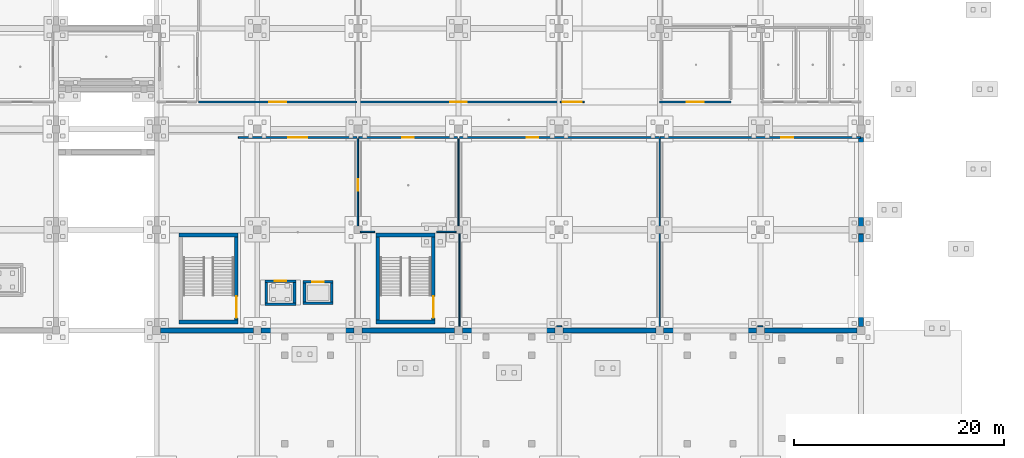
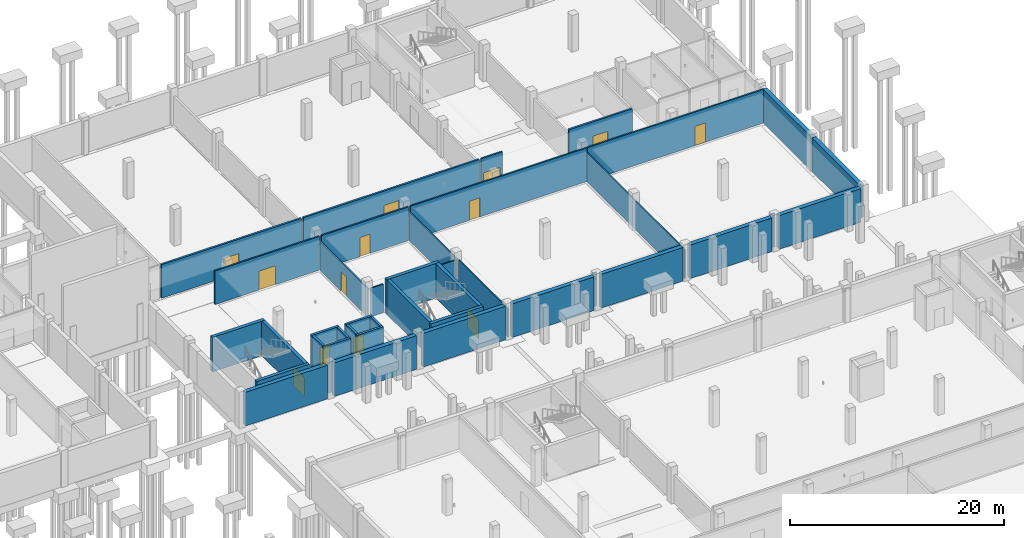
# One storey, part 16 of 31: 40 walls, 13 doors, 13 openings.
"""IFC4 building model written with IfcOpenShell, lengths in metres."""

from ifc_helpers import new_model, si_unit, direction, frame, frame_2d, origin, place, context, subcontext, project, spatial, rectangle, extrude, material, layer, layer_set, type_object, element, fill, save


model = new_model("IFC4")

# Units and contexts
model_context = context("Model", 3, precision=1e-05, world=origin(), true_north=direction((0.0, 1.0)))
body_context = subcontext(model_context, "Body", "Model", "MODEL_VIEW")
ifc_project = project(units=[si_unit("LENGTHUNIT", "METRE"), si_unit("AREAUNIT", "SQUARE_METRE"), si_unit("VOLUMEUNIT", "CUBIC_METRE"), si_unit("PLANEANGLEUNIT", "RADIAN"), si_unit("MASSUNIT", "GRAM", prefix="KILO")], contexts=[model_context])

# Site, building, storey
site_placement = place(None, origin())
site = spatial("IfcSite", under=ifc_project, at=site_placement, CompositionType="ELEMENT")
building_placement = place(site_placement, origin())
building = spatial("IfcBuilding", under=site, at=building_placement, Name="Chalmorin Arch Market", CompositionType="ELEMENT")
storey_placement = place(building_placement, frame((0.0, 0.0, -4.199951171875)))
storey = spatial("IfcBuildingStorey", under=building, at=storey_placement, Name="B1", CompositionType="ELEMENT", Elevation=-4.199951171875)

# Walls
ifc_material_1 = material(Name="Concrete C40/50", Category="concrete")
ifc_layer_1 = layer(ifc_material_1, 0.449951171875)
ifc_layer_set_1 = layer_set([ifc_layer_1], Name="Concrete C40/50")
wall_type_1 = type_object("IfcWallType", Name="BasementFloodwall-450", PredefinedType="SOLIDWALL", material=ifc_layer_set_1)
wall_1_placement = place(storey_placement, frame((48.375, 72.0, 0.0), z_axis=(0.0, 0.0, 1.0), x_axis=(1.0, 0.0, 0.0)))
element("IfcWall", 1, at=wall_1_placement, inside=storey, type_object=wall_type_1, Name="BFW-450-047", PredefinedType="SOLIDWALL", context=body_context, shape_type="SweptSolid", body=[
    extrude(rectangle(XDim=8.85009765625, YDim=0.449951171875, at=frame_2d((4.425048828125, 0.0))), origin(), (0.0, 0.0, 1.0), 3.83984375),
])
wall_2_placement = place(storey_placement, frame((57.97509765625, 72.0, 0.0), z_axis=(0.0, 0.0, 1.0), x_axis=(1.0, 0.0, 0.0)))
element("IfcWall", 2, at=wall_2_placement, inside=storey, type_object=wall_type_1, Name="BFW-450-048", PredefinedType="SOLIDWALL", context=body_context, shape_type="SweptSolid", body=[
    extrude(rectangle(XDim=8.849853515625, YDim=0.449951171875, at=frame_2d((4.4248046875, 0.0))), origin(), (0.0, 0.0, 1.0), 3.83984375),
])
wall_3_placement = place(storey_placement, frame((67.574951171875, 72.0, 0.0), z_axis=(0.0, 0.0, 1.0), x_axis=(1.0, 0.0, 0.0)))
element("IfcWall", 3, at=wall_3_placement, inside=storey, type_object=wall_type_1, Name="BFW-450-049", PredefinedType="SOLIDWALL", context=body_context, shape_type="SweptSolid", body=[
    extrude(rectangle(XDim=8.85009765625, YDim=0.449951171875, at=frame_2d((4.425048828125, 0.0))), origin(), (0.0, 0.0, 1.0), 3.83984375),
])
wall_4_placement = place(storey_placement, frame((77.175048828125, 72.0, 0.0), z_axis=(0.0, 0.0, 1.0), x_axis=(1.0, 0.0, 0.0)))
element("IfcWall", 4, at=wall_4_placement, inside=storey, type_object=wall_type_1, Name="BFW-450-050", PredefinedType="SOLIDWALL", context=body_context, shape_type="SweptSolid", body=[
    extrude(rectangle(XDim=8.849853515625, YDim=0.449951171875, at=frame_2d((4.4248046875, 0.0))), origin(), (0.0, 0.0, 1.0), 3.83984375),
])
for number, where, z_axis, x_axis, name in (
    (5, (86.77490234375, 72.0, 0.0), (0.0, 0.0, 1.0), (1.0, 0.0, 0.0), "BFW-450-051"),
    (6, (96.375, 72.0, 0.0), (0.0, 0.0, 1.0), (1.0, 0.0, 0.0), "BFW-450-052"),
):
    element("IfcWall", number, at=place(storey_placement, frame(where, z_axis=z_axis, x_axis=x_axis)), inside=storey, type_object=wall_type_1, Name=name, PredefinedType="SOLIDWALL", context=body_context, shape_type="SweptSolid", body=[
        extrude(rectangle(XDim=8.85009765625, YDim=0.449951171875, at=frame_2d((4.425048828125, 0.0))), origin(), (0.0, 0.0, 1.0), 3.83984375),
    ])
wall_5_placement = place(storey_placement, frame((105.97509765625, 72.0, 0.0), z_axis=(0.0, 0.0, 1.0), x_axis=(1.0, 0.0, 0.0)))
element("IfcWall", 7, at=wall_5_placement, inside=storey, type_object=wall_type_1, Name="BFW-450-053", PredefinedType="SOLIDWALL", context=body_context, shape_type="SweptSolid", body=[
    extrude(rectangle(XDim=8.849853515625, YDim=0.449951171875, at=frame_2d((4.4248046875, 0.0))), origin(), (0.0, 0.0, 1.0), 3.83984375),
])
wall_6_placement = place(storey_placement, frame((115.199951171875, 72.375, 0.0), z_axis=(0.0, 0.0, 1.0), x_axis=(0.0, 1.0, 0.0)))
element("IfcWall", 8, at=wall_6_placement, inside=storey, type_object=wall_type_1, Name="BFW-450-054", PredefinedType="SOLIDWALL", context=body_context, shape_type="SweptSolid", body=[
    extrude(rectangle(XDim=8.824951171875, YDim=0.449951171875, at=frame_2d((4.41259765625, 0.0))), origin(), (0.0, 0.0, 1.0), 3.83984375),
])
wall_7_placement = place(storey_placement, frame((115.199951171875, 81.199951171875, 0.0), z_axis=(0.0, 0.0, 1.0), x_axis=(0.0, 1.0, 0.0)))
element("IfcWall", 9, at=wall_7_placement, inside=storey, type_object=wall_type_1, Name="BFW-450-055", PredefinedType="SOLIDWALL", context=body_context, shape_type="SweptSolid", body=[
    extrude(rectangle(XDim=9.199951171875, YDim=0.449951171875, at=frame_2d((4.60009765625, 0.0))), origin(), (0.0, 0.0, 1.0), 3.83984375),
])
ifc_layer_2 = layer(ifc_material_1, 0.35009765625)
ifc_layer_set_2 = layer_set([ifc_layer_2], Name="Concrete C40/50")
wall_type_2 = type_object("IfcWallType", Name="CoreShearWall-350", PredefinedType="SHEAR", material=ifc_layer_set_2)
for number, where, z_axis, x_axis, name in (
    (10, (55.77490234375, 72.800048828125, 0.0), (0.0, 0.0, 1.0), (-1.0, 0.0, 0.0), "CSW-350-065"),
    (11, (50.125, 81.10009765625, 0.0), (0.0, 0.0, 1.0), (1.0, 0.0, 0.0), "CSW-350-066"),
):
    element("IfcWall", number, at=place(storey_placement, frame(where, z_axis=z_axis, x_axis=x_axis)), inside=storey, type_object=wall_type_2, Name=name, PredefinedType="SHEAR", context=body_context, shape_type="SweptSolid", body=[
        extrude(rectangle(XDim=5.64990234375, YDim=0.35009765625, at=frame_2d((2.824951171875, 0.0))), origin(), (0.0, 0.0, 1.0), 3.949951171875),
    ])

# Wall, opening, door
wall_8_placement = place(storey_placement, frame((55.60009765625, 80.925048828125, 0.0), z_axis=(0.0, 0.0, 1.0), x_axis=(0.0, -1.0, 0.0)))
wall_8 = element("IfcWall", 12, at=wall_8_placement, inside=storey, type_object=wall_type_2, Name="CSW-350-068", PredefinedType="SHEAR", context=body_context, shape_type="SweptSolid", body=[
    extrude(rectangle(XDim=7.949951171875, YDim=0.35009765625, at=frame_2d((3.97509765625, 0.0))), origin(), (0.0, 0.0, 1.0), 3.949951171875),
])
opening_1_placement = place(wall_8_placement, frame((5.679931640625, 0.0, 0.0)))
opening_1 = element("IfcOpeningElement", 13, at=opening_1_placement, cuts=wall_8, Name="Opening FD-SC5-B1", PredefinedType="OPENING", context=body_context, shape_type="SweptSolid", body=[
    extrude(rectangle(XDim=2.050048828125, YDim=2.14990234375, at=frame_2d((1.02490234375, 1.074951171875))), frame((0.0, 0.18505859375, 0.0), z_axis=(0.0, -1.0, 0.0), x_axis=(1.0, 0.0, 0.0)), (0.0, 0.0, 1.0), 0.3701171875),
])
ifc_material_2 = material(Name="Galvanised Steel", Category="steel")
door_type_1 = type_object("IfcDoorType", Name="DoubleFireExitDoor-2050x2150", OperationType="DOUBLE_DOOR_SINGLE_SWING", PredefinedType="DOOR", material=ifc_material_2)
door_1_placement = place(opening_1_placement, origin())
door_1 = element("IfcDoor", 14, at=door_1_placement, inside=storey, type_object=door_type_1, Name="FD-SC5-B1", OperationType="DOUBLE_DOOR_SINGLE_SWING", OverallHeight=2.14990234375, OverallWidth=2.050048828125, PredefinedType="DOOR", context=body_context, shape_type="SweptSolid", body=[
    extrude(rectangle(XDim=2.050048828125, YDim=2.14990234375, at=frame_2d((1.02490234375, 1.074951171875))), frame((0.0, 0.02490234375, 0.0), z_axis=(0.0, -1.0, 0.0), x_axis=(1.0, 0.0, 0.0)), (0.0, 0.0, 1.0), 0.050048828125),
])
fill(opening_1, door_1)

# Walls
for number, where, z_axis, x_axis, name in (
    (15, (74.574951171875, 72.800048828125, 0.0), (0.0, 0.0, 1.0), (-1.0, 0.0, 0.0), "CSW-350-105"),
    (16, (68.925048828125, 81.10009765625, 0.0), (0.0, 0.0, 1.0), (1.0, 0.0, 0.0), "CSW-350-106"),
):
    element("IfcWall", number, at=place(storey_placement, frame(where, z_axis=z_axis, x_axis=x_axis)), inside=storey, type_object=wall_type_2, Name=name, PredefinedType="SHEAR", context=body_context, shape_type="SweptSolid", body=[
        extrude(rectangle(XDim=5.64990234375, YDim=0.35009765625, at=frame_2d((2.824951171875, 0.0))), origin(), (0.0, 0.0, 1.0), 3.949951171875),
    ])
wall_9_placement = place(storey_placement, frame((69.10009765625, 72.97509765625, 0.0), z_axis=(0.0, 0.0, 1.0), x_axis=(0.0, 1.0, 0.0)))
element("IfcWall", 17, at=wall_9_placement, inside=storey, type_object=wall_type_2, Name="CSW-350-107", PredefinedType="SHEAR", context=body_context, shape_type="SweptSolid", body=[
    extrude(rectangle(XDim=7.949951171875, YDim=0.35009765625, at=frame_2d((3.97509765625, 0.0))), origin(), (0.0, 0.0, 1.0), 3.949951171875),
])

# Wall, opening, door
wall_10_placement = place(storey_placement, frame((74.39990234375, 80.925048828125, 0.0), z_axis=(0.0, 0.0, 1.0), x_axis=(0.0, -1.0, 0.0)))
wall_10 = element("IfcWall", 18, at=wall_10_placement, inside=storey, type_object=wall_type_2, Name="CSW-350-108", PredefinedType="SHEAR", context=body_context, shape_type="SweptSolid", body=[
    extrude(rectangle(XDim=7.949951171875, YDim=0.35009765625, at=frame_2d((3.97509765625, 0.0))), origin(), (0.0, 0.0, 1.0), 3.949951171875),
])
opening_2_placement = place(wall_10_placement, frame((5.679931640625, 0.0, 0.0)))
opening_2 = element("IfcOpeningElement", 19, at=opening_2_placement, cuts=wall_10, Name="Opening FD-SC7-B1", PredefinedType="OPENING", context=body_context, shape_type="SweptSolid", body=[
    extrude(rectangle(XDim=2.050048828125, YDim=2.14990234375, at=frame_2d((1.02490234375, 1.074951171875))), frame((0.0, 0.18505859375, 0.0), z_axis=(0.0, -1.0, 0.0), x_axis=(1.0, 0.0, 0.0)), (0.0, 0.0, 1.0), 0.3701171875),
])
door_2_placement = place(opening_2_placement, origin())
door_2 = element("IfcDoor", 20, at=door_2_placement, inside=storey, type_object=door_type_1, Name="FD-SC7-B1", OperationType="DOUBLE_DOOR_SINGLE_SWING", OverallHeight=2.14990234375, OverallWidth=2.050048828125, PredefinedType="DOOR", context=body_context, shape_type="SweptSolid", body=[
    extrude(rectangle(XDim=2.050048828125, YDim=2.14990234375, at=frame_2d((1.02490234375, 1.074951171875))), frame((0.0, 0.02490234375, 0.0), z_axis=(0.0, -1.0, 0.0), x_axis=(1.0, 0.0, 0.0)), (0.0, 0.0, 1.0), 0.050048828125),
])
fill(opening_2, door_2)

ifc_material_3 = material(Name="Gypsum Board Partition")
ifc_layer_3 = layer(ifc_material_3, 0.159912109375)
ifc_layer_set_3 = layer_set([ifc_layer_3], Name="Gypsum Board Partition")
wall_type_3 = type_object("IfcWallType", Name="CorridorRatedPartition-160", PredefinedType="PARTITIONING", material=ifc_layer_set_3)
wall_11_placement = place(storey_placement, frame((67.199951171875, 81.39990234375, 0.0), z_axis=(0.0, 0.0, 1.0), x_axis=(0.0, 1.0, 0.0)))
wall_11 = element("IfcWall", 21, at=wall_11_placement, inside=storey, type_object=wall_type_3, Name="CRP-160-326", PredefinedType="PARTITIONING", context=body_context, shape_type="SweptSolid", body=[
    extrude(rectangle(XDim=8.900146484375, YDim=0.159912109375, at=frame_2d((4.4501953125, 0.0))), origin(), (0.0, 0.0, 1.0), 3.2548828125),
])
opening_3_placement = place(wall_11_placement, frame((3.89990234375, 0.0, 0.0)))
opening_3 = element("IfcOpeningElement", 22, at=opening_3_placement, cuts=wall_11, Name="Opening ID-076", PredefinedType="OPENING", context=body_context, shape_type="SweptSolid", body=[
    extrude(rectangle(XDim=1.10009765625, YDim=2.179931640625, at=frame_2d((0.550048828125, 1.08984375))), frame((0.0, 0.08984375, 0.0), z_axis=(0.0, -1.0, 0.0), x_axis=(1.0, 0.0, 0.0)), (0.0, 0.0, 1.0), 0.179931640625),
])
door_type_2 = type_object("IfcDoorType", Name="StockroomSteelDoor-1100x2180", OperationType="NOTDEFINED", PredefinedType="DOOR", material=ifc_material_2)
door_3_placement = place(opening_3_placement, origin())
door_3 = element("IfcDoor", 23, at=door_3_placement, inside=storey, type_object=door_type_2, Name="ID-076", OperationType="SINGLE_SWING_RIGHT", OverallHeight=2.179931640625, OverallWidth=1.10009765625, PredefinedType="DOOR", context=body_context, shape_type="SweptSolid", body=[
    extrude(rectangle(XDim=1.10009765625, YDim=2.179931640625, at=frame_2d((0.550048828125, 1.08984375))), frame((0.0, 0.02490234375, 0.0), z_axis=(0.0, -1.0, 0.0), x_axis=(1.0, 0.0, 0.0)), (0.0, 0.0, 1.0), 0.050048828125),
])
fill(opening_3, door_3)

wall_12_placement = place(storey_placement, frame((55.800048828125, 90.39990234375, 0.0), z_axis=(0.0, 0.0, 1.0), x_axis=(1.0, 0.0, 0.0)))
wall_12 = element("IfcWall", 24, at=wall_12_placement, inside=storey, type_object=wall_type_3, Name="CRP-160-327", PredefinedType="PARTITIONING", context=body_context, shape_type="SweptSolid", body=[
    extrude(rectangle(XDim=11.300048828125, YDim=0.159912109375, at=frame_2d((5.64990234375, 0.0))), origin(), (0.0, 0.0, 1.0), 3.83984375),
])
opening_4_placement = place(wall_12_placement, frame((4.75, 0.0, 0.0)))
opening_4 = element("IfcOpeningElement", 25, at=opening_4_placement, cuts=wall_12, Name="Opening ID-077", PredefinedType="OPENING", context=body_context, shape_type="SweptSolid", body=[
    extrude(rectangle(XDim=1.800048828125, YDim=2.14990234375, at=frame_2d((0.89990234375, 1.074951171875))), frame((0.0, 0.08984375, 0.0), z_axis=(0.0, -1.0, 0.0), x_axis=(1.0, 0.0, 0.0)), (0.0, 0.0, 1.0), 0.179931640625),
])
door_type_3 = type_object("IfcDoorType", Name="CorridorFireDoubleDoor-1800x2150", OperationType="DOUBLE_DOOR_SINGLE_SWING", PredefinedType="DOOR", material=ifc_material_2)
door_4_placement = place(opening_4_placement, origin())
door_4 = element("IfcDoor", 26, at=door_4_placement, inside=storey, type_object=door_type_3, Name="ID-077", OperationType="DOUBLE_DOOR_SINGLE_SWING", OverallHeight=2.14990234375, OverallWidth=1.800048828125, PredefinedType="DOOR", context=body_context, shape_type="SweptSolid", body=[
    extrude(rectangle(XDim=1.800048828125, YDim=2.14990234375, at=frame_2d((0.89990234375, 1.074951171875))), frame((0.0, 0.02490234375, 0.0), z_axis=(0.0, -1.0, 0.0), x_axis=(1.0, 0.0, 0.0)), (0.0, 0.0, 1.0), 0.050048828125),
])
fill(opening_4, door_4)

wall_13_placement = place(storey_placement, frame((67.300048828125, 90.39990234375, 0.0), z_axis=(0.0, 0.0, 1.0), x_axis=(1.0, 0.0, 0.0)))
wall_13 = element("IfcWall", 27, at=wall_13_placement, inside=storey, type_object=wall_type_3, Name="CRP-160-329", PredefinedType="PARTITIONING", context=body_context, shape_type="SweptSolid", body=[
    extrude(rectangle(XDim=9.39990234375, YDim=0.159912109375, at=frame_2d((4.699951171875, 0.0))), origin(), (0.0, 0.0, 1.0), 3.83984375),
])
opening_5_placement = place(wall_13_placement, frame((4.14990234375, 0.0, 0.0)))
opening_5 = element("IfcOpeningElement", 28, at=opening_5_placement, cuts=wall_13, Name="Opening ID-078", PredefinedType="OPENING", context=body_context, shape_type="SweptSolid", body=[
    extrude(rectangle(XDim=1.10009765625, YDim=2.179931640625, at=frame_2d((0.550048828125, 1.08984375))), frame((0.0, 0.08984375, 0.0), z_axis=(0.0, -1.0, 0.0), x_axis=(1.0, 0.0, 0.0)), (0.0, 0.0, 1.0), 0.179931640625),
])
door_5_placement = place(opening_5_placement, origin())
door_5 = element("IfcDoor", 29, at=door_5_placement, inside=storey, type_object=door_type_2, Name="ID-078", OperationType="SINGLE_SWING_RIGHT", OverallHeight=2.179931640625, OverallWidth=1.10009765625, PredefinedType="DOOR", context=body_context, shape_type="SweptSolid", body=[
    extrude(rectangle(XDim=1.10009765625, YDim=2.179931640625, at=frame_2d((0.550048828125, 1.08984375))), frame((0.0, 0.02490234375, 0.0), z_axis=(0.0, -1.0, 0.0), x_axis=(1.0, 0.0, 0.0)), (0.0, 0.0, 1.0), 0.050048828125),
])
fill(opening_5, door_5)

wall_14_placement = place(storey_placement, frame((76.89990234375, 90.39990234375, 0.0), z_axis=(0.0, 0.0, 1.0), x_axis=(1.0, 0.0, 0.0)))
wall_14 = element("IfcWall", 30, at=wall_14_placement, inside=storey, type_object=wall_type_3, Name="CRP-160-331", PredefinedType="PARTITIONING", context=body_context, shape_type="SweptSolid", body=[
    extrude(rectangle(XDim=19.050048828125, YDim=0.159912109375, at=frame_2d((9.52490234375, 0.0))), origin(), (0.0, 0.0, 1.0), 3.83984375),
])
opening_6_placement = place(wall_14_placement, frame((6.39111328125, 0.0, 0.0)))
opening_6 = element("IfcOpeningElement", 31, at=opening_6_placement, cuts=wall_14, Name="Opening ID-079", PredefinedType="OPENING", context=body_context, shape_type="SweptSolid", body=[
    extrude(rectangle(XDim=1.10009765625, YDim=2.179931640625, at=frame_2d((0.550048828125, 1.08984375))), frame((0.0, 0.08984375, 0.0), z_axis=(0.0, -1.0, 0.0), x_axis=(1.0, 0.0, 0.0)), (0.0, 0.0, 1.0), 0.179931640625),
])
door_6_placement = place(opening_6_placement, origin())
door_6 = element("IfcDoor", 32, at=door_6_placement, inside=storey, type_object=door_type_2, Name="ID-079", OperationType="SINGLE_SWING_LEFT", OverallHeight=2.179931640625, OverallWidth=1.10009765625, PredefinedType="DOOR", context=body_context, shape_type="SweptSolid", body=[
    extrude(rectangle(XDim=1.10009765625, YDim=2.179931640625, at=frame_2d((0.550048828125, 1.08984375))), frame((0.0, 0.02490234375, 0.0), z_axis=(0.0, -1.0, 0.0), x_axis=(1.0, 0.0, 0.0)), (0.0, 0.0, 1.0), 0.050048828125),
])
fill(opening_6, door_6)

wall_15_placement = place(storey_placement, frame((96.030029296875, 90.39990234375, 0.0), z_axis=(0.0, 0.0, 1.0), x_axis=(1.0, 0.0, 0.0)))
wall_15 = element("IfcWall", 33, at=wall_15_placement, inside=storey, type_object=wall_type_3, Name="CRP-160-332", PredefinedType="PARTITIONING", context=body_context, shape_type="SweptSolid", body=[
    extrude(rectangle(XDim=19.119873046875, YDim=0.159912109375, at=frame_2d((9.56005859375, 0.0))), origin(), (0.0, 0.0, 1.0), 3.83984375),
])
opening_7_placement = place(wall_15_placement, frame((11.572021484375, 0.0, 0.0)))
opening_7 = element("IfcOpeningElement", 34, at=opening_7_placement, cuts=wall_15, Name="Opening ID-080", PredefinedType="OPENING", context=body_context, shape_type="SweptSolid", body=[
    extrude(rectangle(XDim=1.14990234375, YDim=2.199951171875, at=frame_2d((0.574951171875, 1.10009765625))), frame((0.0, 0.08984375, 0.0), z_axis=(0.0, -1.0, 0.0), x_axis=(1.0, 0.0, 0.0)), (0.0, 0.0, 1.0), 0.179931640625),
])
door_type_4 = type_object("IfcDoorType", Name="WorkshopHeavyDoor-1150x2200", OperationType="NOTDEFINED", PredefinedType="DOOR", material=ifc_material_2)
door_7_placement = place(opening_7_placement, origin())
door_7 = element("IfcDoor", 35, at=door_7_placement, inside=storey, type_object=door_type_4, Name="ID-080", OperationType="SINGLE_SWING_RIGHT", OverallHeight=2.199951171875, OverallWidth=1.14990234375, PredefinedType="DOOR", context=body_context, shape_type="SweptSolid", body=[
    extrude(rectangle(XDim=1.14990234375, YDim=2.199951171875, at=frame_2d((0.574951171875, 1.10009765625))), frame((0.0, 0.02490234375, 0.0), z_axis=(0.0, -1.0, 0.0), x_axis=(1.0, 0.0, 0.0)), (0.0, 0.0, 1.0), 0.050048828125),
])
fill(opening_7, door_7)

wall_16_placement = place(storey_placement, frame((86.5, 93.800048828125, 0.0), z_axis=(0.0, 0.0, 1.0), x_axis=(1.0, 0.0, 0.0)))
wall_16 = element("IfcWall", 36, at=wall_16_placement, inside=storey, type_object=wall_type_3, Name="CRP-160-333", PredefinedType="PARTITIONING", context=body_context, shape_type="SweptSolid", body=[
    extrude(rectangle(XDim=2.300048828125, YDim=0.159912109375, at=frame_2d((1.14990234375, 0.0))), origin(), (0.0, 0.0, 1.0), 3.83984375),
])
opening_8_placement = place(wall_16_placement, frame((0.25, 0.0, 0.0)))
opening_8 = element("IfcOpeningElement", 37, at=opening_8_placement, cuts=wall_16, Name="Opening ID-081", PredefinedType="OPENING", context=body_context, shape_type="SweptSolid", body=[
    extrude(rectangle(XDim=1.800048828125, YDim=2.14990234375, at=frame_2d((0.89990234375, 1.074951171875))), frame((0.0, 0.08984375, 0.0), z_axis=(0.0, -1.0, 0.0), x_axis=(1.0, 0.0, 0.0)), (0.0, 0.0, 1.0), 0.179931640625),
])
door_8_placement = place(opening_8_placement, origin())
door_8 = element("IfcDoor", 38, at=door_8_placement, inside=storey, type_object=door_type_3, Name="ID-081", OperationType="DOUBLE_DOOR_SINGLE_SWING", OverallHeight=2.14990234375, OverallWidth=1.800048828125, PredefinedType="DOOR", context=body_context, shape_type="SweptSolid", body=[
    extrude(rectangle(XDim=1.800048828125, YDim=2.14990234375, at=frame_2d((0.89990234375, 1.074951171875))), frame((0.0, 0.02490234375, 0.0), z_axis=(0.0, -1.0, 0.0), x_axis=(1.0, 0.0, 0.0)), (0.0, 0.0, 1.0), 0.050048828125),
])
fill(opening_8, door_8)

# Walls
ifc_material_4 = material(Name="Powder-coated Aluminium Panel", Category="aluminium")
ifc_layer_4 = layer(ifc_material_4, 0.125)
ifc_layer_set_4 = layer_set([ifc_layer_4], Name="Powder-coated Aluminium Panel")
wall_type_4 = type_object("IfcWallType", Name="DemountableStudStallPartition-125", PredefinedType="PARTITIONING", material=ifc_layer_set_4)
wall_17_placement = place(storey_placement, frame((76.800048828125, 81.39990234375, 0.0), z_axis=(0.0, 0.0, 1.0), x_axis=(0.0, 1.0, 0.0)))
element("IfcWall", 39, at=wall_17_placement, inside=storey, type_object=wall_type_4, Name="DSP-125-328", PredefinedType="PARTITIONING", context=body_context, shape_type="SweptSolid", body=[
    extrude(rectangle(XDim=8.900146484375, YDim=0.125, at=frame_2d((4.4501953125, 0.0))), origin(), (0.0, 0.0, 1.0), 3.294921875),
])
wall_18_placement = place(storey_placement, frame((96.0, 72.050048828125, 0.0), z_axis=(0.0, 0.0, 1.0), x_axis=(0.0, 1.0, 0.0)))
element("IfcWall", 40, at=wall_18_placement, inside=storey, type_object=wall_type_4, Name="DSP-125-330", PredefinedType="PARTITIONING", context=body_context, shape_type="SweptSolid", body=[
    extrude(rectangle(XDim=18.25, YDim=0.125, at=frame_2d((9.125, 0.0))), origin(), (0.0, 0.0, 1.0), 3.27490234375),
])
wall_19_placement = place(storey_placement, frame((67.43994140625, 81.39990234375, 0.0), z_axis=(0.0, 0.0, 1.0), x_axis=(1.0, 0.0, 0.0)))
element("IfcWall", 41, at=wall_19_placement, inside=storey, type_object=wall_type_4, Name="DSP-125-363", PredefinedType="PARTITIONING", context=body_context, shape_type="SweptSolid", body=[
    extrude(rectangle(XDim=1.344970703125, YDim=0.125, at=frame_2d((0.67236328125, 0.0))), origin(), (0.0, 0.0, 1.0), 3.251953125),
])
wall_20_placement = place(storey_placement, frame((74.715087890625, 81.39990234375, 0.0), z_axis=(0.0, 0.0, 1.0), x_axis=(1.0, 0.0, 0.0)))
element("IfcWall", 42, at=wall_20_placement, inside=storey, type_object=wall_type_4, Name="DSP-125-364", PredefinedType="PARTITIONING", context=body_context, shape_type="SweptSolid", body=[
    extrude(rectangle(XDim=1.844970703125, YDim=0.125, at=frame_2d((0.92236328125, 0.0))), origin(), (0.0, 0.0, 1.0), 3.251953125),
])
wall_21_placement = place(storey_placement, frame((86.1650390625, 72.39990234375, 0.0), z_axis=(0.0, 0.0, 1.0), x_axis=(1.0, 0.0, 0.0)))
element("IfcWall", 43, at=wall_21_placement, inside=storey, type_object=wall_type_4, Name="DSP-125-365", PredefinedType="PARTITIONING", context=body_context, shape_type="SweptSolid", body=[
    extrude(rectangle(XDim=0.469970703125, YDim=0.125, at=frame_2d((0.23486328125, 0.0))), origin(), (0.0, 0.0, 1.0), 3.83984375),
])
wall_22_placement = place(storey_placement, frame((76.89990234375, 72.050048828125, 0.0), z_axis=(0.0, 0.0, 1.0), x_axis=(0.0, 1.0, 0.0)))
element("IfcWall", 44, at=wall_22_placement, inside=storey, type_object=wall_type_4, Name="DSP-125-366", PredefinedType="PARTITIONING", context=body_context, shape_type="SweptSolid", body=[
    extrude(rectangle(XDim=9.2099609375, YDim=0.125, at=frame_2d((4.60498046875, 0.0))), origin(), (0.0, 0.0, 1.0), 3.27490234375),
])
wall_23_placement = place(storey_placement, frame((105.364990234375, 72.39990234375, 0.0), z_axis=(0.0, 0.0, 1.0), x_axis=(1.0, 0.0, 0.0)))
element("IfcWall", 45, at=wall_23_placement, inside=storey, type_object=wall_type_4, Name="DSP-125-367", PredefinedType="PARTITIONING", context=body_context, shape_type="SweptSolid", body=[
    extrude(rectangle(XDim=0.469970703125, YDim=0.125, at=frame_2d((0.23486328125, 0.0))), origin(), (0.0, 0.0, 1.0), 3.83984375),
])

# Wall, opening, door
ifc_material_5 = material(Name="Concrete C30/37", Category="concrete")
ifc_layer_5 = layer(ifc_material_5, 0.199951171875)
ifc_layer_set_5 = layer_set([ifc_layer_5], Name="Concrete C30/37")
wall_type_5 = type_object("IfcWallType", Name="FireCompartmentWall-200", PredefinedType="PARTITIONING", material=ifc_layer_set_5)
wall_24_placement = place(storey_placement, frame((52.0, 93.800048828125, 0.0), z_axis=(0.0, 0.0, 1.0), x_axis=(1.0, 0.0, 0.0)))
wall_24 = element("IfcWall", 46, at=wall_24_placement, inside=storey, type_object=wall_type_5, Name="FCW-200-334", PredefinedType="PARTITIONING", context=body_context, shape_type="SweptSolid", body=[
    extrude(rectangle(XDim=15.10009765625, YDim=0.199951171875, at=frame_2d((7.550048828125, 0.0))), origin(), (0.0, 0.0, 1.0), 3.83984375),
])
opening_9_placement = place(wall_24_placement, frame((6.75, 0.0, 0.0)))
opening_9 = element("IfcOpeningElement", 47, at=opening_9_placement, cuts=wall_24, Name="Opening ID-082", PredefinedType="OPENING", context=body_context, shape_type="SweptSolid", body=[
    extrude(rectangle(XDim=1.60009765625, YDim=2.199951171875, at=frame_2d((0.800048828125, 1.10009765625))), frame((0.0, 0.10986328125, 0.0), z_axis=(0.0, -1.0, 0.0), x_axis=(1.0, 0.0, 0.0)), (0.0, 0.0, 1.0), 0.219970703125),
])
door_type_5 = type_object("IfcDoorType", Name="PlantRoomDoubleSteelDoor-1600x2200", OperationType="DOUBLE_DOOR_SINGLE_SWING", PredefinedType="DOOR", material=ifc_material_2)
door_9_placement = place(opening_9_placement, origin())
door_9 = element("IfcDoor", 48, at=door_9_placement, inside=storey, type_object=door_type_5, Name="ID-082", OperationType="DOUBLE_DOOR_SINGLE_SWING", OverallHeight=2.199951171875, OverallWidth=1.60009765625, PredefinedType="DOOR", context=body_context, shape_type="SweptSolid", body=[
    extrude(rectangle(XDim=1.60009765625, YDim=2.199951171875, at=frame_2d((0.800048828125, 1.10009765625))), frame((0.0, 0.02490234375, 0.0), z_axis=(0.0, -1.0, 0.0), x_axis=(1.0, 0.0, 0.0)), (0.0, 0.0, 1.0), 0.050048828125),
])
fill(opening_9, door_9)

wall_25_placement = place(storey_placement, frame((67.300048828125, 93.800048828125, 0.0), z_axis=(0.0, 0.0, 1.0), x_axis=(1.0, 0.0, 0.0)))
wall_25 = element("IfcWall", 49, at=wall_25_placement, inside=storey, type_object=wall_type_5, Name="FCW-200-335", PredefinedType="PARTITIONING", context=body_context, shape_type="SweptSolid", body=[
    extrude(rectangle(XDim=19.0, YDim=0.199951171875, at=frame_2d((9.5, 0.0))), origin(), (0.0, 0.0, 1.0), 3.83984375),
])
opening_10_placement = place(wall_25_placement, frame((8.699951171875, 0.0, 0.0)))
opening_10 = element("IfcOpeningElement", 50, at=opening_10_placement, cuts=wall_25, Name="Opening ID-083", PredefinedType="OPENING", context=body_context, shape_type="SweptSolid", body=[
    extrude(rectangle(XDim=1.60009765625, YDim=2.199951171875, at=frame_2d((0.800048828125, 1.10009765625))), frame((0.0, 0.10986328125, 0.0), z_axis=(0.0, -1.0, 0.0), x_axis=(1.0, 0.0, 0.0)), (0.0, 0.0, 1.0), 0.219970703125),
])
door_10_placement = place(opening_10_placement, origin())
door_10 = element("IfcDoor", 51, at=door_10_placement, inside=storey, type_object=door_type_5, Name="ID-083", OperationType="DOUBLE_DOOR_SINGLE_SWING", OverallHeight=2.199951171875, OverallWidth=1.60009765625, PredefinedType="DOOR", context=body_context, shape_type="SweptSolid", body=[
    extrude(rectangle(XDim=1.60009765625, YDim=2.199951171875, at=frame_2d((0.800048828125, 1.10009765625))), frame((0.0, 0.02490234375, 0.0), z_axis=(0.0, -1.0, 0.0), x_axis=(1.0, 0.0, 0.0)), (0.0, 0.0, 1.0), 0.050048828125),
])
fill(opening_10, door_10)

wall_26_placement = place(storey_placement, frame((95.949951171875, 93.800048828125, 0.0), z_axis=(0.0, 0.0, 1.0), x_axis=(1.0, 0.0, 0.0)))
wall_26 = element("IfcWall", 52, at=wall_26_placement, inside=storey, type_object=wall_type_5, Name="FCW-200-336", PredefinedType="PARTITIONING", context=body_context, shape_type="SweptSolid", body=[
    extrude(rectangle(XDim=6.85009765625, YDim=0.199951171875, at=frame_2d((3.425048828125, 0.0))), origin(), (0.0, 0.0, 1.0), 3.83984375),
])
opening_11_placement = place(wall_26_placement, frame((2.625, 0.0, 0.0)))
opening_11 = element("IfcOpeningElement", 53, at=opening_11_placement, cuts=wall_26, Name="Opening ID-084", PredefinedType="OPENING", context=body_context, shape_type="SweptSolid", body=[
    extrude(rectangle(XDim=1.60009765625, YDim=2.199951171875, at=frame_2d((0.800048828125, 1.10009765625))), frame((0.0, 0.10986328125, 0.0), z_axis=(0.0, -1.0, 0.0), x_axis=(1.0, 0.0, 0.0)), (0.0, 0.0, 1.0), 0.219970703125),
])
door_11_placement = place(opening_11_placement, origin())
door_11 = element("IfcDoor", 54, at=door_11_placement, inside=storey, type_object=door_type_5, Name="ID-084", OperationType="DOUBLE_DOOR_SINGLE_SWING", OverallHeight=2.199951171875, OverallWidth=1.60009765625, PredefinedType="DOOR", context=body_context, shape_type="SweptSolid", body=[
    extrude(rectangle(XDim=1.60009765625, YDim=2.199951171875, at=frame_2d((0.800048828125, 1.10009765625))), frame((0.0, 0.02490234375, 0.0), z_axis=(0.0, -1.0, 0.0), x_axis=(1.0, 0.0, 0.0)), (0.0, 0.0, 1.0), 0.050048828125),
])
fill(opening_11, door_11)

# Wall
ifc_material_6 = material(Name="Concrete C35/45", Category="concrete")
ifc_layer_6 = layer(ifc_material_6, 0.25)
ifc_layer_set_6 = layer_set([ifc_layer_6], Name="Concrete C35/45")
wall_type_6 = type_object("IfcWallType", Name="ShaftEnclosureWall-250", PredefinedType="SOLIDWALL", material=ifc_layer_set_6)
wall_27_placement = place(storey_placement, frame((61.27490234375, 74.5, -1.5), z_axis=(0.0, 0.0, 1.0), x_axis=(-1.0, 0.0, 0.0)))
element("IfcWall", 55, at=wall_27_placement, inside=storey, type_object=wall_type_6, Name="SEW-250-174", PredefinedType="SOLIDWALL", context=body_context, shape_type="SweptSolid", body=[
    extrude(rectangle(XDim=2.949951171875, YDim=0.25, at=frame_2d((1.47509765625, 0.0))), origin(), (0.0, 0.0, 1.0), 5.449951171875),
])

# Wall, opening, door
wall_28_placement = place(storey_placement, frame((58.324951171875, 76.699951171875, -1.5), z_axis=(0.0, 0.0, 1.0), x_axis=(1.0, 0.0, 0.0)))
wall_28 = element("IfcWall", 56, at=wall_28_placement, inside=storey, type_object=wall_type_6, Name="SEW-250-175", PredefinedType="SOLIDWALL", context=body_context, shape_type="SweptSolid", body=[
    extrude(rectangle(XDim=2.949951171875, YDim=0.25, at=frame_2d((1.47509765625, 0.0))), origin(), (0.0, 0.0, 1.0), 5.449951171875),
])
opening_12_placement = place(wall_28_placement, frame((0.925048828125, 0.0, 1.5)))
opening_12 = element("IfcOpeningElement", 57, at=opening_12_placement, cuts=wall_28, Name="Opening LD-LF-FF1-B1", PredefinedType="OPENING", context=body_context, shape_type="SweptSolid", body=[
    extrude(rectangle(XDim=1.10009765625, YDim=2.14990234375, at=frame_2d((0.550048828125, 1.074951171875))), frame((0.0, 0.135009765625, 0.0), z_axis=(0.0, -1.0, 0.0), x_axis=(1.0, 0.0, 0.0)), (0.0, 0.0, 1.0), 0.27001953125),
])
ifc_material_7 = material(Name="Stainless Steel 316", Category="steel")
door_type_6 = type_object("IfcDoorType", Name="LiftLandingSlidingDoor-1100x2150", OperationType="DOUBLE_DOOR_SLIDING", PredefinedType="DOOR", material=ifc_material_7)
door_12_placement = place(opening_12_placement, origin())
door_12 = element("IfcDoor", 58, at=door_12_placement, inside=storey, type_object=door_type_6, Name="LD-LF-FF1-B1", OperationType="DOUBLE_DOOR_SLIDING", OverallHeight=2.14990234375, OverallWidth=1.10009765625, PredefinedType="DOOR", context=body_context, shape_type="SweptSolid", body=[
    extrude(rectangle(XDim=1.10009765625, YDim=2.14990234375, at=frame_2d((0.550048828125, 1.074951171875))), frame((0.0, 0.02490234375, 0.0), z_axis=(0.0, -1.0, 0.0), x_axis=(1.0, 0.0, 0.0)), (0.0, 0.0, 1.0), 0.050048828125),
])
fill(opening_12, door_12)

# Walls
for number, where, z_axis, x_axis, name in (
    (59, (58.449951171875, 74.625, -1.5), (0.0, 0.0, 1.0), (0.0, 1.0, 0.0), "SEW-250-176"),
    (60, (61.14990234375, 76.574951171875, -1.5), (0.0, 0.0, 1.0), (0.0, -1.0, 0.0), "SEW-250-177"),
):
    element("IfcWall", number, at=place(storey_placement, frame(where, z_axis=z_axis, x_axis=x_axis)), inside=storey, type_object=wall_type_6, Name=name, PredefinedType="SOLIDWALL", context=body_context, shape_type="SweptSolid", body=[
        extrude(rectangle(XDim=1.949951171875, YDim=0.25, at=frame_2d((0.97509765625, 0.0))), origin(), (0.0, 0.0, 1.0), 5.449951171875),
    ])
wall_29_placement = place(storey_placement, frame((64.824951171875, 74.574951171875, -1.5), z_axis=(0.0, 0.0, 1.0), x_axis=(-1.0, 0.0, 0.0)))
element("IfcWall", 61, at=wall_29_placement, inside=storey, type_object=wall_type_6, Name="SEW-250-262", PredefinedType="SOLIDWALL", context=body_context, shape_type="SweptSolid", body=[
    extrude(rectangle(XDim=2.849853515625, YDim=0.25, at=frame_2d((1.4248046875, 0.0))), origin(), (0.0, 0.0, 1.0), 5.449951171875),
])

# Wall, opening, door
wall_30_placement = place(storey_placement, frame((61.97509765625, 76.625, -1.5), z_axis=(0.0, 0.0, 1.0), x_axis=(1.0, 0.0, 0.0)))
wall_30 = element("IfcWall", 62, at=wall_30_placement, inside=storey, type_object=wall_type_6, Name="SEW-250-263", PredefinedType="SOLIDWALL", context=body_context, shape_type="SweptSolid", body=[
    extrude(rectangle(XDim=2.849853515625, YDim=0.25, at=frame_2d((1.4248046875, 0.0))), origin(), (0.0, 0.0, 1.0), 5.449951171875),
])
opening_13_placement = place(wall_30_placement, frame((0.875, 0.0, 1.5)))
opening_13 = element("IfcOpeningElement", 63, at=opening_13_placement, cuts=wall_30, Name="Opening LD-LF-P4-B1", PredefinedType="OPENING", context=body_context, shape_type="SweptSolid", body=[
    extrude(rectangle(XDim=1.10009765625, YDim=2.14990234375, at=frame_2d((0.550048828125, 1.074951171875))), frame((0.0, 0.135009765625, 0.0), z_axis=(0.0, -1.0, 0.0), x_axis=(1.0, 0.0, 0.0)), (0.0, 0.0, 1.0), 0.27001953125),
])
door_13_placement = place(opening_13_placement, origin())
door_13 = element("IfcDoor", 64, at=door_13_placement, inside=storey, type_object=door_type_6, Name="LD-LF-P4-B1", OperationType="DOUBLE_DOOR_SLIDING", OverallHeight=2.14990234375, OverallWidth=1.10009765625, PredefinedType="DOOR", context=body_context, shape_type="SweptSolid", body=[
    extrude(rectangle(XDim=1.10009765625, YDim=2.14990234375, at=frame_2d((0.550048828125, 1.074951171875))), frame((0.0, 0.02490234375, 0.0), z_axis=(0.0, -1.0, 0.0), x_axis=(1.0, 0.0, 0.0)), (0.0, 0.0, 1.0), 0.050048828125),
])
fill(opening_13, door_13)

# Walls
for number, where, z_axis, x_axis, name in (
    (65, (62.10009765625, 74.699951171875, -1.5), (0.0, 0.0, 1.0), (0.0, 1.0, 0.0), "SEW-250-264"),
    (66, (64.699951171875, 76.5, -1.5), (0.0, 0.0, 1.0), (0.0, -1.0, 0.0), "SEW-250-265"),
):
    element("IfcWall", number, at=place(storey_placement, frame(where, z_axis=z_axis, x_axis=x_axis)), inside=storey, type_object=wall_type_6, Name=name, PredefinedType="SOLIDWALL", context=body_context, shape_type="SweptSolid", body=[
        extrude(rectangle(XDim=1.800048828125, YDim=0.25, at=frame_2d((0.89990234375, 0.0))), origin(), (0.0, 0.0, 1.0), 5.449951171875),
    ])

save(model, "model.ifc")
